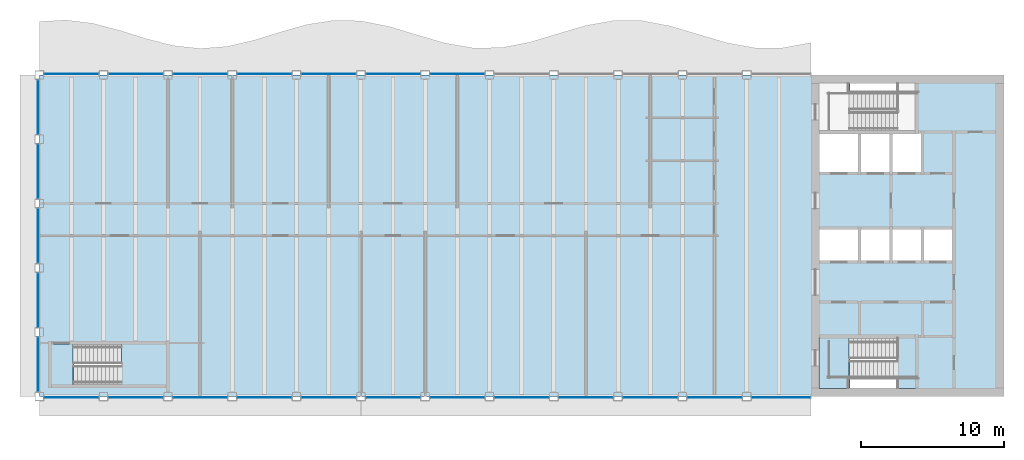
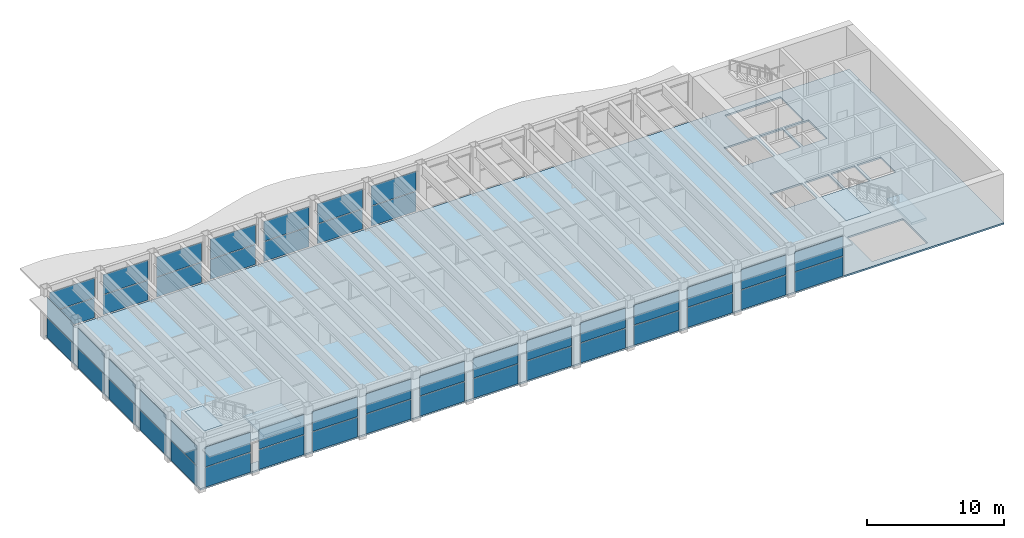
# One storey, part 7 of 15: 48 plates, 5 slabs, 26 elements without a shape of their own.
"""IFC4 building model written with IfcOpenShell, lengths in metres."""

from ifc_helpers import new_model, si_unit, direction, frame, origin, origin_2d, place, context, subcontext, project, spatial, polyline, rectangle, outline, extrude, material, layer, layer_set, type_object, element, aggregate, save


model = new_model("IFC4")

# Units and contexts
model_context = context("Model", 3, precision=1e-05, world=origin(), true_north=direction((0.0, 1.0)))
body_context = subcontext(model_context, "Body", "Model", "MODEL_VIEW")
ifc_project = project(units=[si_unit("LENGTHUNIT", "METRE"), si_unit("AREAUNIT", "SQUARE_METRE"), si_unit("VOLUMEUNIT", "CUBIC_METRE"), si_unit("PLANEANGLEUNIT", "RADIAN"), si_unit("MASSUNIT", "GRAM", prefix="KILO")], contexts=[model_context])

# Site, building, storey
site_placement = place(None, origin())
site = spatial("IfcSite", under=ifc_project, at=site_placement, CompositionType="ELEMENT")
building_placement = place(site_placement, origin())
building = spatial("IfcBuilding", under=site, at=building_placement, Name="Sennacour Bend Tower", CompositionType="ELEMENT")
storey_placement = place(building_placement, frame((0.0, 0.0, 318.5)))
storey = spatial("IfcBuildingStorey", under=building, at=storey_placement, Name="L73", CompositionType="ELEMENT", Elevation=318.5)

# Slab
ifc_material_1 = material(Name="Concrete C30/37", Category="concrete")
ifc_layer_1 = layer(ifc_material_1, 0.14990234375, Name="Concrete C30/37", Category="concrete")
ifc_layer_set_1 = layer_set([ifc_layer_1], Name="Concrete C30/37")
slab_type_1 = type_object("IfcSlabType", Name="Floor slab 150", PredefinedType="FLOOR", material=ifc_layer_set_1)
slab_1_placement = place(storey_placement, frame((0.0, 0.0, -0.14990234375)))
element("IfcSlab", 1, at=slab_1_placement, inside=storey, type_object=slab_type_1, Name="Floor slab L73-01", PredefinedType="FLOOR", context=body_context, shape_type="SweptSolid", body=[
    extrude(outline(polyline([(0.0, 22.5), (22.5, 22.5), (54.0, 22.5), (67.5, 22.5), (67.5, 0.0), (54.0, 0.0), (22.5, 0.0), (0.0, 0.0), (0.0, 22.5)]), holes=[polyline([(8.800048828125, 3.5), (2.429931640625, 3.5), (2.429931640625, 0.949951171875), (8.800048828125, 0.949951171875), (8.800048828125, 3.5)]), polyline([(61.39990234375, 4.125), (56.72998046875, 4.125), (56.72998046875, 0.550048828125), (61.39990234375, 0.550048828125), (61.39990234375, 4.125)]), polyline([(57.300048828125, 11.699951171875), (54.60009765625, 11.699951171875), (54.60009765625, 9.5), (57.300048828125, 9.5), (57.300048828125, 11.699951171875)]), polyline([(59.5, 9.5), (59.5, 11.699951171875), (57.5, 11.699951171875), (57.5, 9.5), (59.5, 9.5)]), polyline([(61.699951171875, 9.5), (61.699951171875, 11.699951171875), (59.699951171875, 11.699951171875), (59.699951171875, 9.5), (61.699951171875, 9.5)]), polyline([(63.89990234375, 11.699951171875), (61.89990234375, 11.699951171875), (61.89990234375, 9.5), (63.89990234375, 9.5), (63.89990234375, 11.699951171875)]), polyline([(57.300048828125, 18.39990234375), (54.60009765625, 18.39990234375), (54.60009765625, 15.699951171875), (57.300048828125, 15.699951171875), (57.300048828125, 18.39990234375)]), polyline([(59.5, 18.39990234375), (57.5, 18.39990234375), (57.5, 15.699951171875), (59.5, 15.699951171875), (59.5, 18.39990234375)]), polyline([(61.699951171875, 15.699951171875), (61.699951171875, 18.39990234375), (59.699951171875, 18.39990234375), (59.699951171875, 15.699951171875), (61.699951171875, 15.699951171875)]), polyline([(61.39990234375, 18.574951171875), (61.39990234375, 21.949951171875), (56.72998046875, 21.949951171875), (56.72998046875, 18.574951171875), (61.39990234375, 18.574951171875)])]), origin(), (0.0, 0.0, 1.0), 0.14990234375),
])

# Curtain wall, plates
ifc_material_2 = material(Name="Bronze anodised aluminium curtain wall with clear glass", Category="aluminium")
curtain_wall_type = type_object("IfcCurtainWallType", Name="CURTAIN WALL EXEC", PredefinedType="NOTDEFINED", material=ifc_material_2)
curtain_wall_1_placement = place(storey_placement, origin())
curtain_wall_1 = element("IfcCurtainWall", 2, at=curtain_wall_1_placement, inside=storey, type_object=curtain_wall_type, Name="Executive floor glass wall L73", PredefinedType="NOTDEFINED")
ifc_material_3 = material(Name="Clear low-emissivity glass", Category="glass")
ifc_layer_2 = layer(ifc_material_3, 0.031982421875, Name="Clear low-emissivity glass", Category="glass")
ifc_layer_set_2 = layer_set([ifc_layer_2], Name="Clear low-emissivity glass")
plate_type = type_object("IfcPlateType", Name="PNL-GLASS-IGU32", PredefinedType="CURTAIN_PANEL", material=ifc_layer_set_2)
plate_1_placement = place(storey_placement, frame((2.25, -0.074951171875, 0.06005859375), z_axis=(0.0, 0.0, 1.0), x_axis=(1.0, 0.0, 0.0)))
plate_1 = element("IfcPlate", 3, at=plate_1_placement, type_object=plate_type, Name="GW3 curtain wall panel 1.1", PredefinedType="CURTAIN_PANEL", context=body_context, shape_type="SweptSolid", body=[
    extrude(rectangle(XDim=3.780029296875, YDim=0.031982421875, at=origin_2d()), origin(), (0.0, 0.0, 1.0), 1.74609375),
])
plate_2_placement = place(storey_placement, frame((2.25, -0.074951171875, 1.865966796875), z_axis=(0.0, 0.0, 1.0), x_axis=(1.0, 0.0, 0.0)))
plate_2 = element("IfcPlate", 4, at=plate_2_placement, type_object=plate_type, Name="GW3 curtain wall panel 1.2", PredefinedType="CURTAIN_PANEL", context=body_context, shape_type="SweptSolid", body=[
    extrude(rectangle(XDim=3.780029296875, YDim=0.031982421875, at=origin_2d()), origin(), (0.0, 0.0, 1.0), 1.74609375),
])
aggregate(curtain_wall_1, [plate_1, plate_2])

curtain_wall_2_placement = place(storey_placement, origin())
curtain_wall_2 = element("IfcCurtainWall", 5, at=curtain_wall_2_placement, inside=storey, type_object=curtain_wall_type, Name="Executive floor glass wall L73", PredefinedType="NOTDEFINED")
plate_3_placement = place(storey_placement, frame((6.75, -0.074951171875, 0.06005859375), z_axis=(0.0, 0.0, 1.0), x_axis=(1.0, 0.0, 0.0)))
plate_3 = element("IfcPlate", 6, at=plate_3_placement, type_object=plate_type, Name="GW3 curtain wall panel 1.1", PredefinedType="CURTAIN_PANEL", context=body_context, shape_type="SweptSolid", body=[
    extrude(rectangle(XDim=3.780029296875, YDim=0.031982421875, at=origin_2d()), origin(), (0.0, 0.0, 1.0), 1.74609375),
])
plate_4_placement = place(storey_placement, frame((6.75, -0.074951171875, 1.865966796875), z_axis=(0.0, 0.0, 1.0), x_axis=(1.0, 0.0, 0.0)))
plate_4 = element("IfcPlate", 7, at=plate_4_placement, type_object=plate_type, Name="GW3 curtain wall panel 1.2", PredefinedType="CURTAIN_PANEL", context=body_context, shape_type="SweptSolid", body=[
    extrude(rectangle(XDim=3.780029296875, YDim=0.031982421875, at=origin_2d()), origin(), (0.0, 0.0, 1.0), 1.74609375),
])
aggregate(curtain_wall_2, [plate_3, plate_4])

curtain_wall_3_placement = place(storey_placement, origin())
curtain_wall_3 = element("IfcCurtainWall", 8, at=curtain_wall_3_placement, inside=storey, type_object=curtain_wall_type, Name="Executive floor glass wall L73", PredefinedType="NOTDEFINED")
plate_5_placement = place(storey_placement, frame((11.25, -0.074951171875, 0.06005859375), z_axis=(0.0, 0.0, 1.0), x_axis=(1.0, 0.0, 0.0)))
plate_5 = element("IfcPlate", 9, at=plate_5_placement, type_object=plate_type, Name="GW3 curtain wall panel 1.1", PredefinedType="CURTAIN_PANEL", context=body_context, shape_type="SweptSolid", body=[
    extrude(rectangle(XDim=3.780029296875, YDim=0.031982421875, at=origin_2d()), origin(), (0.0, 0.0, 1.0), 1.74609375),
])
plate_6_placement = place(storey_placement, frame((11.25, -0.074951171875, 1.865966796875), z_axis=(0.0, 0.0, 1.0), x_axis=(1.0, 0.0, 0.0)))
plate_6 = element("IfcPlate", 10, at=plate_6_placement, type_object=plate_type, Name="GW3 curtain wall panel 1.2", PredefinedType="CURTAIN_PANEL", context=body_context, shape_type="SweptSolid", body=[
    extrude(rectangle(XDim=3.780029296875, YDim=0.031982421875, at=origin_2d()), origin(), (0.0, 0.0, 1.0), 1.74609375),
])
aggregate(curtain_wall_3, [plate_5, plate_6])

curtain_wall_4_placement = place(storey_placement, origin())
curtain_wall_4 = element("IfcCurtainWall", 11, at=curtain_wall_4_placement, inside=storey, type_object=curtain_wall_type, Name="Executive floor glass wall L73", PredefinedType="NOTDEFINED")
plate_7_placement = place(storey_placement, frame((15.75, -0.074951171875, 0.06005859375), z_axis=(0.0, 0.0, 1.0), x_axis=(1.0, 0.0, 0.0)))
plate_7 = element("IfcPlate", 12, at=plate_7_placement, type_object=plate_type, Name="GW3 curtain wall panel 1.1", PredefinedType="CURTAIN_PANEL", context=body_context, shape_type="SweptSolid", body=[
    extrude(rectangle(XDim=3.780029296875, YDim=0.031982421875, at=origin_2d()), origin(), (0.0, 0.0, 1.0), 1.74609375),
])
plate_8_placement = place(storey_placement, frame((15.75, -0.074951171875, 1.865966796875), z_axis=(0.0, 0.0, 1.0), x_axis=(1.0, 0.0, 0.0)))
plate_8 = element("IfcPlate", 13, at=plate_8_placement, type_object=plate_type, Name="GW3 curtain wall panel 1.2", PredefinedType="CURTAIN_PANEL", context=body_context, shape_type="SweptSolid", body=[
    extrude(rectangle(XDim=3.780029296875, YDim=0.031982421875, at=origin_2d()), origin(), (0.0, 0.0, 1.0), 1.74609375),
])
aggregate(curtain_wall_4, [plate_7, plate_8])

curtain_wall_5_placement = place(storey_placement, origin())
curtain_wall_5 = element("IfcCurtainWall", 14, at=curtain_wall_5_placement, inside=storey, type_object=curtain_wall_type, Name="Executive floor glass wall L73", PredefinedType="NOTDEFINED")
plate_9_placement = place(storey_placement, frame((20.25, -0.074951171875, 0.06005859375), z_axis=(0.0, 0.0, 1.0), x_axis=(1.0, 0.0, 0.0)))
plate_9 = element("IfcPlate", 15, at=plate_9_placement, type_object=plate_type, Name="GW3 curtain wall panel 1.1", PredefinedType="CURTAIN_PANEL", context=body_context, shape_type="SweptSolid", body=[
    extrude(rectangle(XDim=3.780029296875, YDim=0.031982421875, at=origin_2d()), origin(), (0.0, 0.0, 1.0), 1.74609375),
])
plate_10_placement = place(storey_placement, frame((20.25, -0.074951171875, 1.865966796875), z_axis=(0.0, 0.0, 1.0), x_axis=(1.0, 0.0, 0.0)))
plate_10 = element("IfcPlate", 16, at=plate_10_placement, type_object=plate_type, Name="GW3 curtain wall panel 1.2", PredefinedType="CURTAIN_PANEL", context=body_context, shape_type="SweptSolid", body=[
    extrude(rectangle(XDim=3.780029296875, YDim=0.031982421875, at=origin_2d()), origin(), (0.0, 0.0, 1.0), 1.74609375),
])
aggregate(curtain_wall_5, [plate_9, plate_10])

curtain_wall_6_placement = place(storey_placement, origin())
curtain_wall_6 = element("IfcCurtainWall", 17, at=curtain_wall_6_placement, inside=storey, type_object=curtain_wall_type, Name="Executive floor glass wall L73", PredefinedType="NOTDEFINED")
plate_11_placement = place(storey_placement, frame((24.75, -0.074951171875, 0.06005859375), z_axis=(0.0, 0.0, 1.0), x_axis=(1.0, 0.0, 0.0)))
plate_11 = element("IfcPlate", 18, at=plate_11_placement, type_object=plate_type, Name="GW3 curtain wall panel 1.1", PredefinedType="CURTAIN_PANEL", context=body_context, shape_type="SweptSolid", body=[
    extrude(rectangle(XDim=3.780029296875, YDim=0.031982421875, at=origin_2d()), origin(), (0.0, 0.0, 1.0), 1.74609375),
])
plate_12_placement = place(storey_placement, frame((24.75, -0.074951171875, 1.865966796875), z_axis=(0.0, 0.0, 1.0), x_axis=(1.0, 0.0, 0.0)))
plate_12 = element("IfcPlate", 19, at=plate_12_placement, type_object=plate_type, Name="GW3 curtain wall panel 1.2", PredefinedType="CURTAIN_PANEL", context=body_context, shape_type="SweptSolid", body=[
    extrude(rectangle(XDim=3.780029296875, YDim=0.031982421875, at=origin_2d()), origin(), (0.0, 0.0, 1.0), 1.74609375),
])
aggregate(curtain_wall_6, [plate_11, plate_12])

curtain_wall_7_placement = place(storey_placement, origin())
curtain_wall_7 = element("IfcCurtainWall", 20, at=curtain_wall_7_placement, inside=storey, type_object=curtain_wall_type, Name="Executive floor glass wall L73", PredefinedType="NOTDEFINED")
plate_13_placement = place(storey_placement, frame((29.25, -0.074951171875, 0.06005859375), z_axis=(0.0, 0.0, 1.0), x_axis=(1.0, 0.0, 0.0)))
plate_13 = element("IfcPlate", 21, at=plate_13_placement, type_object=plate_type, Name="GW3 curtain wall panel 1.1", PredefinedType="CURTAIN_PANEL", context=body_context, shape_type="SweptSolid", body=[
    extrude(rectangle(XDim=3.780029296875, YDim=0.031982421875, at=origin_2d()), origin(), (0.0, 0.0, 1.0), 1.74609375),
])
plate_14_placement = place(storey_placement, frame((29.25, -0.074951171875, 1.865966796875), z_axis=(0.0, 0.0, 1.0), x_axis=(1.0, 0.0, 0.0)))
plate_14 = element("IfcPlate", 22, at=plate_14_placement, type_object=plate_type, Name="GW3 curtain wall panel 1.2", PredefinedType="CURTAIN_PANEL", context=body_context, shape_type="SweptSolid", body=[
    extrude(rectangle(XDim=3.780029296875, YDim=0.031982421875, at=origin_2d()), origin(), (0.0, 0.0, 1.0), 1.74609375),
])
aggregate(curtain_wall_7, [plate_13, plate_14])

curtain_wall_8_placement = place(storey_placement, origin())
curtain_wall_8 = element("IfcCurtainWall", 23, at=curtain_wall_8_placement, inside=storey, type_object=curtain_wall_type, Name="Executive floor glass wall L73", PredefinedType="NOTDEFINED")
plate_15_placement = place(storey_placement, frame((33.75, -0.074951171875, 0.06005859375), z_axis=(0.0, 0.0, 1.0), x_axis=(1.0, 0.0, 0.0)))
plate_15 = element("IfcPlate", 24, at=plate_15_placement, type_object=plate_type, Name="GW3 curtain wall panel 1.1", PredefinedType="CURTAIN_PANEL", context=body_context, shape_type="SweptSolid", body=[
    extrude(rectangle(XDim=3.780029296875, YDim=0.031982421875, at=origin_2d()), origin(), (0.0, 0.0, 1.0), 1.74609375),
])
plate_16_placement = place(storey_placement, frame((33.75, -0.074951171875, 1.865966796875), z_axis=(0.0, 0.0, 1.0), x_axis=(1.0, 0.0, 0.0)))
plate_16 = element("IfcPlate", 25, at=plate_16_placement, type_object=plate_type, Name="GW3 curtain wall panel 1.2", PredefinedType="CURTAIN_PANEL", context=body_context, shape_type="SweptSolid", body=[
    extrude(rectangle(XDim=3.780029296875, YDim=0.031982421875, at=origin_2d()), origin(), (0.0, 0.0, 1.0), 1.74609375),
])
aggregate(curtain_wall_8, [plate_15, plate_16])

curtain_wall_9_placement = place(storey_placement, origin())
curtain_wall_9 = element("IfcCurtainWall", 26, at=curtain_wall_9_placement, inside=storey, type_object=curtain_wall_type, Name="Executive floor glass wall L73", PredefinedType="NOTDEFINED")
plate_17_placement = place(storey_placement, frame((38.25, -0.074951171875, 0.06005859375), z_axis=(0.0, 0.0, 1.0), x_axis=(1.0, 0.0, 0.0)))
plate_17 = element("IfcPlate", 27, at=plate_17_placement, type_object=plate_type, Name="GW3 curtain wall panel 1.1", PredefinedType="CURTAIN_PANEL", context=body_context, shape_type="SweptSolid", body=[
    extrude(rectangle(XDim=3.780029296875, YDim=0.031982421875, at=origin_2d()), origin(), (0.0, 0.0, 1.0), 1.74609375),
])
plate_18_placement = place(storey_placement, frame((38.25, -0.074951171875, 1.865966796875), z_axis=(0.0, 0.0, 1.0), x_axis=(1.0, 0.0, 0.0)))
plate_18 = element("IfcPlate", 28, at=plate_18_placement, type_object=plate_type, Name="GW3 curtain wall panel 1.2", PredefinedType="CURTAIN_PANEL", context=body_context, shape_type="SweptSolid", body=[
    extrude(rectangle(XDim=3.780029296875, YDim=0.031982421875, at=origin_2d()), origin(), (0.0, 0.0, 1.0), 1.74609375),
])
aggregate(curtain_wall_9, [plate_17, plate_18])

curtain_wall_10_placement = place(storey_placement, origin())
curtain_wall_10 = element("IfcCurtainWall", 29, at=curtain_wall_10_placement, inside=storey, type_object=curtain_wall_type, Name="Executive floor glass wall L73", PredefinedType="NOTDEFINED")
plate_19_placement = place(storey_placement, frame((42.75, -0.074951171875, 0.06005859375), z_axis=(0.0, 0.0, 1.0), x_axis=(1.0, 0.0, 0.0)))
plate_19 = element("IfcPlate", 30, at=plate_19_placement, type_object=plate_type, Name="GW3 curtain wall panel 1.1", PredefinedType="CURTAIN_PANEL", context=body_context, shape_type="SweptSolid", body=[
    extrude(rectangle(XDim=3.780029296875, YDim=0.031982421875, at=origin_2d()), origin(), (0.0, 0.0, 1.0), 1.74609375),
])
plate_20_placement = place(storey_placement, frame((42.75, -0.074951171875, 1.865966796875), z_axis=(0.0, 0.0, 1.0), x_axis=(1.0, 0.0, 0.0)))
plate_20 = element("IfcPlate", 31, at=plate_20_placement, type_object=plate_type, Name="GW3 curtain wall panel 1.2", PredefinedType="CURTAIN_PANEL", context=body_context, shape_type="SweptSolid", body=[
    extrude(rectangle(XDim=3.780029296875, YDim=0.031982421875, at=origin_2d()), origin(), (0.0, 0.0, 1.0), 1.74609375),
])
aggregate(curtain_wall_10, [plate_19, plate_20])

curtain_wall_11_placement = place(storey_placement, origin())
curtain_wall_11 = element("IfcCurtainWall", 32, at=curtain_wall_11_placement, inside=storey, type_object=curtain_wall_type, Name="Executive floor glass wall L73", PredefinedType="NOTDEFINED")
plate_21_placement = place(storey_placement, frame((47.25, -0.074951171875, 0.06005859375), z_axis=(0.0, 0.0, 1.0), x_axis=(1.0, 0.0, 0.0)))
plate_21 = element("IfcPlate", 33, at=plate_21_placement, type_object=plate_type, Name="GW3 curtain wall panel 1.1", PredefinedType="CURTAIN_PANEL", context=body_context, shape_type="SweptSolid", body=[
    extrude(rectangle(XDim=3.780029296875, YDim=0.031982421875, at=origin_2d()), origin(), (0.0, 0.0, 1.0), 1.74609375),
])
plate_22_placement = place(storey_placement, frame((47.25, -0.074951171875, 1.865966796875), z_axis=(0.0, 0.0, 1.0), x_axis=(1.0, 0.0, 0.0)))
plate_22 = element("IfcPlate", 34, at=plate_22_placement, type_object=plate_type, Name="GW3 curtain wall panel 1.2", PredefinedType="CURTAIN_PANEL", context=body_context, shape_type="SweptSolid", body=[
    extrude(rectangle(XDim=3.780029296875, YDim=0.031982421875, at=origin_2d()), origin(), (0.0, 0.0, 1.0), 1.74609375),
])
aggregate(curtain_wall_11, [plate_21, plate_22])

curtain_wall_12_placement = place(storey_placement, origin())
curtain_wall_12 = element("IfcCurtainWall", 35, at=curtain_wall_12_placement, inside=storey, type_object=curtain_wall_type, Name="Executive floor glass wall L73", PredefinedType="NOTDEFINED")
plate_23_placement = place(storey_placement, frame((51.89990234375, -0.074951171875, 0.06005859375), z_axis=(0.0, 0.0, 1.0), x_axis=(1.0, 0.0, 0.0)))
plate_23 = element("IfcPlate", 36, at=plate_23_placement, type_object=plate_type, Name="GW3 curtain wall panel 1.1", PredefinedType="CURTAIN_PANEL", context=body_context, shape_type="SweptSolid", body=[
    extrude(rectangle(XDim=4.080078125, YDim=0.031982421875, at=origin_2d()), origin(), (0.0, 0.0, 1.0), 1.74609375),
])
plate_24_placement = place(storey_placement, frame((51.89990234375, -0.074951171875, 1.865966796875), z_axis=(0.0, 0.0, 1.0), x_axis=(1.0, 0.0, 0.0)))
plate_24 = element("IfcPlate", 37, at=plate_24_placement, type_object=plate_type, Name="GW3 curtain wall panel 1.2", PredefinedType="CURTAIN_PANEL", context=body_context, shape_type="SweptSolid", body=[
    extrude(rectangle(XDim=4.080078125, YDim=0.031982421875, at=origin_2d()), origin(), (0.0, 0.0, 1.0), 1.74609375),
])
aggregate(curtain_wall_12, [plate_23, plate_24])

curtain_wall_13_placement = place(storey_placement, origin())
curtain_wall_13 = element("IfcCurtainWall", 38, at=curtain_wall_13_placement, inside=storey, type_object=curtain_wall_type, Name="Executive floor glass wall L73", PredefinedType="NOTDEFINED")
plate_25_placement = place(storey_placement, frame((29.25, 22.574951171875, 0.06005859375), z_axis=(0.0, 0.0, 1.0), x_axis=(-1.0, 0.0, 0.0)))
plate_25 = element("IfcPlate", 39, at=plate_25_placement, type_object=plate_type, Name="GW3 curtain wall panel 1.1", PredefinedType="CURTAIN_PANEL", context=body_context, shape_type="SweptSolid", body=[
    extrude(rectangle(XDim=3.780029296875, YDim=0.031982421875, at=origin_2d()), origin(), (0.0, 0.0, 1.0), 1.74609375),
])
plate_26_placement = place(storey_placement, frame((29.25, 22.574951171875, 1.865966796875), z_axis=(0.0, 0.0, 1.0), x_axis=(-1.0, 0.0, 0.0)))
plate_26 = element("IfcPlate", 40, at=plate_26_placement, type_object=plate_type, Name="GW3 curtain wall panel 1.2", PredefinedType="CURTAIN_PANEL", context=body_context, shape_type="SweptSolid", body=[
    extrude(rectangle(XDim=3.780029296875, YDim=0.031982421875, at=origin_2d()), origin(), (0.0, 0.0, 1.0), 1.74609375),
])
aggregate(curtain_wall_13, [plate_25, plate_26])

curtain_wall_14_placement = place(storey_placement, origin())
curtain_wall_14 = element("IfcCurtainWall", 41, at=curtain_wall_14_placement, inside=storey, type_object=curtain_wall_type, Name="Executive floor glass wall L73", PredefinedType="NOTDEFINED")
plate_27_placement = place(storey_placement, frame((24.75, 22.574951171875, 0.06005859375), z_axis=(0.0, 0.0, 1.0), x_axis=(-1.0, 0.0, 0.0)))
plate_27 = element("IfcPlate", 42, at=plate_27_placement, type_object=plate_type, Name="GW3 curtain wall panel 1.1", PredefinedType="CURTAIN_PANEL", context=body_context, shape_type="SweptSolid", body=[
    extrude(rectangle(XDim=3.780029296875, YDim=0.031982421875, at=origin_2d()), origin(), (0.0, 0.0, 1.0), 1.74609375),
])
plate_28_placement = place(storey_placement, frame((24.75, 22.574951171875, 1.865966796875), z_axis=(0.0, 0.0, 1.0), x_axis=(-1.0, 0.0, 0.0)))
plate_28 = element("IfcPlate", 43, at=plate_28_placement, type_object=plate_type, Name="GW3 curtain wall panel 1.2", PredefinedType="CURTAIN_PANEL", context=body_context, shape_type="SweptSolid", body=[
    extrude(rectangle(XDim=3.780029296875, YDim=0.031982421875, at=origin_2d()), origin(), (0.0, 0.0, 1.0), 1.74609375),
])
aggregate(curtain_wall_14, [plate_27, plate_28])

curtain_wall_15_placement = place(storey_placement, origin())
curtain_wall_15 = element("IfcCurtainWall", 44, at=curtain_wall_15_placement, inside=storey, type_object=curtain_wall_type, Name="Executive floor glass wall L73", PredefinedType="NOTDEFINED")
plate_29_placement = place(storey_placement, frame((20.25, 22.574951171875, 0.06005859375), z_axis=(0.0, 0.0, 1.0), x_axis=(-1.0, 0.0, 0.0)))
plate_29 = element("IfcPlate", 45, at=plate_29_placement, type_object=plate_type, Name="GW3 curtain wall panel 1.1", PredefinedType="CURTAIN_PANEL", context=body_context, shape_type="SweptSolid", body=[
    extrude(rectangle(XDim=3.780029296875, YDim=0.031982421875, at=origin_2d()), origin(), (0.0, 0.0, 1.0), 1.74609375),
])
plate_30_placement = place(storey_placement, frame((20.25, 22.574951171875, 1.865966796875), z_axis=(0.0, 0.0, 1.0), x_axis=(-1.0, 0.0, 0.0)))
plate_30 = element("IfcPlate", 46, at=plate_30_placement, type_object=plate_type, Name="GW3 curtain wall panel 1.2", PredefinedType="CURTAIN_PANEL", context=body_context, shape_type="SweptSolid", body=[
    extrude(rectangle(XDim=3.780029296875, YDim=0.031982421875, at=origin_2d()), origin(), (0.0, 0.0, 1.0), 1.74609375),
])
aggregate(curtain_wall_15, [plate_29, plate_30])

curtain_wall_16_placement = place(storey_placement, origin())
curtain_wall_16 = element("IfcCurtainWall", 47, at=curtain_wall_16_placement, inside=storey, type_object=curtain_wall_type, Name="Executive floor glass wall L73", PredefinedType="NOTDEFINED")
plate_31_placement = place(storey_placement, frame((15.75, 22.574951171875, 0.06005859375), z_axis=(0.0, 0.0, 1.0), x_axis=(-1.0, 0.0, 0.0)))
plate_31 = element("IfcPlate", 48, at=plate_31_placement, type_object=plate_type, Name="GW3 curtain wall panel 1.1", PredefinedType="CURTAIN_PANEL", context=body_context, shape_type="SweptSolid", body=[
    extrude(rectangle(XDim=3.780029296875, YDim=0.031982421875, at=origin_2d()), origin(), (0.0, 0.0, 1.0), 1.74609375),
])
plate_32_placement = place(storey_placement, frame((15.75, 22.574951171875, 1.865966796875), z_axis=(0.0, 0.0, 1.0), x_axis=(-1.0, 0.0, 0.0)))
plate_32 = element("IfcPlate", 49, at=plate_32_placement, type_object=plate_type, Name="GW3 curtain wall panel 1.2", PredefinedType="CURTAIN_PANEL", context=body_context, shape_type="SweptSolid", body=[
    extrude(rectangle(XDim=3.780029296875, YDim=0.031982421875, at=origin_2d()), origin(), (0.0, 0.0, 1.0), 1.74609375),
])
aggregate(curtain_wall_16, [plate_31, plate_32])

curtain_wall_17_placement = place(storey_placement, origin())
curtain_wall_17 = element("IfcCurtainWall", 50, at=curtain_wall_17_placement, inside=storey, type_object=curtain_wall_type, Name="Executive floor glass wall L73", PredefinedType="NOTDEFINED")
plate_33_placement = place(storey_placement, frame((11.25, 22.574951171875, 0.06005859375), z_axis=(0.0, 0.0, 1.0), x_axis=(-1.0, 0.0, 0.0)))
plate_33 = element("IfcPlate", 51, at=plate_33_placement, type_object=plate_type, Name="GW3 curtain wall panel 1.1", PredefinedType="CURTAIN_PANEL", context=body_context, shape_type="SweptSolid", body=[
    extrude(rectangle(XDim=3.780029296875, YDim=0.031982421875, at=origin_2d()), origin(), (0.0, 0.0, 1.0), 1.74609375),
])
plate_34_placement = place(storey_placement, frame((11.25, 22.574951171875, 1.865966796875), z_axis=(0.0, 0.0, 1.0), x_axis=(-1.0, 0.0, 0.0)))
plate_34 = element("IfcPlate", 52, at=plate_34_placement, type_object=plate_type, Name="GW3 curtain wall panel 1.2", PredefinedType="CURTAIN_PANEL", context=body_context, shape_type="SweptSolid", body=[
    extrude(rectangle(XDim=3.780029296875, YDim=0.031982421875, at=origin_2d()), origin(), (0.0, 0.0, 1.0), 1.74609375),
])
aggregate(curtain_wall_17, [plate_33, plate_34])

curtain_wall_18_placement = place(storey_placement, origin())
curtain_wall_18 = element("IfcCurtainWall", 53, at=curtain_wall_18_placement, inside=storey, type_object=curtain_wall_type, Name="Executive floor glass wall L73", PredefinedType="NOTDEFINED")
plate_35_placement = place(storey_placement, frame((6.75, 22.574951171875, 0.06005859375), z_axis=(0.0, 0.0, 1.0), x_axis=(-1.0, 0.0, 0.0)))
plate_35 = element("IfcPlate", 54, at=plate_35_placement, type_object=plate_type, Name="GW3 curtain wall panel 1.1", PredefinedType="CURTAIN_PANEL", context=body_context, shape_type="SweptSolid", body=[
    extrude(rectangle(XDim=3.780029296875, YDim=0.031982421875, at=origin_2d()), origin(), (0.0, 0.0, 1.0), 1.74609375),
])
plate_36_placement = place(storey_placement, frame((6.75, 22.574951171875, 1.865966796875), z_axis=(0.0, 0.0, 1.0), x_axis=(-1.0, 0.0, 0.0)))
plate_36 = element("IfcPlate", 55, at=plate_36_placement, type_object=plate_type, Name="GW3 curtain wall panel 1.2", PredefinedType="CURTAIN_PANEL", context=body_context, shape_type="SweptSolid", body=[
    extrude(rectangle(XDim=3.780029296875, YDim=0.031982421875, at=origin_2d()), origin(), (0.0, 0.0, 1.0), 1.74609375),
])
aggregate(curtain_wall_18, [plate_35, plate_36])

curtain_wall_19_placement = place(storey_placement, origin())
curtain_wall_19 = element("IfcCurtainWall", 56, at=curtain_wall_19_placement, inside=storey, type_object=curtain_wall_type, Name="Executive floor glass wall L73", PredefinedType="NOTDEFINED")
plate_37_placement = place(storey_placement, frame((2.25, 22.574951171875, 0.06005859375), z_axis=(0.0, 0.0, 1.0), x_axis=(-1.0, 0.0, 0.0)))
plate_37 = element("IfcPlate", 57, at=plate_37_placement, type_object=plate_type, Name="GW3 curtain wall panel 1.1", PredefinedType="CURTAIN_PANEL", context=body_context, shape_type="SweptSolid", body=[
    extrude(rectangle(XDim=3.780029296875, YDim=0.031982421875, at=origin_2d()), origin(), (0.0, 0.0, 1.0), 1.74609375),
])
plate_38_placement = place(storey_placement, frame((2.25, 22.574951171875, 1.865966796875), z_axis=(0.0, 0.0, 1.0), x_axis=(-1.0, 0.0, 0.0)))
plate_38 = element("IfcPlate", 58, at=plate_38_placement, type_object=plate_type, Name="GW3 curtain wall panel 1.2", PredefinedType="CURTAIN_PANEL", context=body_context, shape_type="SweptSolid", body=[
    extrude(rectangle(XDim=3.780029296875, YDim=0.031982421875, at=origin_2d()), origin(), (0.0, 0.0, 1.0), 1.74609375),
])
aggregate(curtain_wall_19, [plate_37, plate_38])

curtain_wall_20_placement = place(storey_placement, origin())
curtain_wall_20 = element("IfcCurtainWall", 59, at=curtain_wall_20_placement, inside=storey, type_object=curtain_wall_type, Name="Executive floor glass wall L73", PredefinedType="NOTDEFINED")
plate_39_placement = place(storey_placement, frame((-0.074951171875, 20.25, 0.06005859375), z_axis=(0.0, 0.0, 1.0), x_axis=(0.0, -1.0, 0.0)))
plate_39 = element("IfcPlate", 60, at=plate_39_placement, type_object=plate_type, Name="GW3 curtain wall panel 1.1", PredefinedType="CURTAIN_PANEL", context=body_context, shape_type="SweptSolid", body=[
    extrude(rectangle(XDim=3.780029296875, YDim=0.031982421875, at=origin_2d()), origin(), (0.0, 0.0, 1.0), 1.74609375),
])
plate_40_placement = place(storey_placement, frame((-0.074951171875, 20.25, 1.865966796875), z_axis=(0.0, 0.0, 1.0), x_axis=(0.0, -1.0, 0.0)))
plate_40 = element("IfcPlate", 61, at=plate_40_placement, type_object=plate_type, Name="GW3 curtain wall panel 1.2", PredefinedType="CURTAIN_PANEL", context=body_context, shape_type="SweptSolid", body=[
    extrude(rectangle(XDim=3.780029296875, YDim=0.031982421875, at=origin_2d()), origin(), (0.0, 0.0, 1.0), 1.74609375),
])
aggregate(curtain_wall_20, [plate_39, plate_40])

curtain_wall_21_placement = place(storey_placement, origin())
curtain_wall_21 = element("IfcCurtainWall", 62, at=curtain_wall_21_placement, inside=storey, type_object=curtain_wall_type, Name="Executive floor glass wall L73", PredefinedType="NOTDEFINED")
plate_41_placement = place(storey_placement, frame((-0.074951171875, 15.75, 0.06005859375), z_axis=(0.0, 0.0, 1.0), x_axis=(0.0, -1.0, 0.0)))
plate_41 = element("IfcPlate", 63, at=plate_41_placement, type_object=plate_type, Name="GW3 curtain wall panel 1.1", PredefinedType="CURTAIN_PANEL", context=body_context, shape_type="SweptSolid", body=[
    extrude(rectangle(XDim=3.780029296875, YDim=0.031982421875, at=origin_2d()), origin(), (0.0, 0.0, 1.0), 1.74609375),
])
plate_42_placement = place(storey_placement, frame((-0.074951171875, 15.75, 1.865966796875), z_axis=(0.0, 0.0, 1.0), x_axis=(0.0, -1.0, 0.0)))
plate_42 = element("IfcPlate", 64, at=plate_42_placement, type_object=plate_type, Name="GW3 curtain wall panel 1.2", PredefinedType="CURTAIN_PANEL", context=body_context, shape_type="SweptSolid", body=[
    extrude(rectangle(XDim=3.780029296875, YDim=0.031982421875, at=origin_2d()), origin(), (0.0, 0.0, 1.0), 1.74609375),
])
aggregate(curtain_wall_21, [plate_41, plate_42])

curtain_wall_22_placement = place(storey_placement, origin())
curtain_wall_22 = element("IfcCurtainWall", 65, at=curtain_wall_22_placement, inside=storey, type_object=curtain_wall_type, Name="Executive floor glass wall L73", PredefinedType="NOTDEFINED")
plate_43_placement = place(storey_placement, frame((-0.074951171875, 11.25, 0.06005859375), z_axis=(0.0, 0.0, 1.0), x_axis=(0.0, -1.0, 0.0)))
plate_43 = element("IfcPlate", 66, at=plate_43_placement, type_object=plate_type, Name="GW3 curtain wall panel 1.1", PredefinedType="CURTAIN_PANEL", context=body_context, shape_type="SweptSolid", body=[
    extrude(rectangle(XDim=3.780029296875, YDim=0.031982421875, at=origin_2d()), origin(), (0.0, 0.0, 1.0), 1.74609375),
])
plate_44_placement = place(storey_placement, frame((-0.074951171875, 11.25, 1.865966796875), z_axis=(0.0, 0.0, 1.0), x_axis=(0.0, -1.0, 0.0)))
plate_44 = element("IfcPlate", 67, at=plate_44_placement, type_object=plate_type, Name="GW3 curtain wall panel 1.2", PredefinedType="CURTAIN_PANEL", context=body_context, shape_type="SweptSolid", body=[
    extrude(rectangle(XDim=3.780029296875, YDim=0.031982421875, at=origin_2d()), origin(), (0.0, 0.0, 1.0), 1.74609375),
])
aggregate(curtain_wall_22, [plate_43, plate_44])

curtain_wall_23_placement = place(storey_placement, origin())
curtain_wall_23 = element("IfcCurtainWall", 68, at=curtain_wall_23_placement, inside=storey, type_object=curtain_wall_type, Name="Executive floor glass wall L73", PredefinedType="NOTDEFINED")
plate_45_placement = place(storey_placement, frame((-0.074951171875, 6.75, 0.06005859375), z_axis=(0.0, 0.0, 1.0), x_axis=(0.0, -1.0, 0.0)))
plate_45 = element("IfcPlate", 69, at=plate_45_placement, type_object=plate_type, Name="GW3 curtain wall panel 1.1", PredefinedType="CURTAIN_PANEL", context=body_context, shape_type="SweptSolid", body=[
    extrude(rectangle(XDim=3.780029296875, YDim=0.031982421875, at=origin_2d()), origin(), (0.0, 0.0, 1.0), 1.74609375),
])
plate_46_placement = place(storey_placement, frame((-0.074951171875, 6.75, 1.865966796875), z_axis=(0.0, 0.0, 1.0), x_axis=(0.0, -1.0, 0.0)))
plate_46 = element("IfcPlate", 70, at=plate_46_placement, type_object=plate_type, Name="GW3 curtain wall panel 1.2", PredefinedType="CURTAIN_PANEL", context=body_context, shape_type="SweptSolid", body=[
    extrude(rectangle(XDim=3.780029296875, YDim=0.031982421875, at=origin_2d()), origin(), (0.0, 0.0, 1.0), 1.74609375),
])
aggregate(curtain_wall_23, [plate_45, plate_46])

curtain_wall_24_placement = place(storey_placement, origin())
curtain_wall_24 = element("IfcCurtainWall", 71, at=curtain_wall_24_placement, inside=storey, type_object=curtain_wall_type, Name="Executive floor glass wall L73", PredefinedType="NOTDEFINED")
plate_47_placement = place(storey_placement, frame((-0.074951171875, 2.25, 0.06005859375), z_axis=(0.0, 0.0, 1.0), x_axis=(0.0, -1.0, 0.0)))
plate_47 = element("IfcPlate", 72, at=plate_47_placement, type_object=plate_type, Name="GW3 curtain wall panel 1.1", PredefinedType="CURTAIN_PANEL", context=body_context, shape_type="SweptSolid", body=[
    extrude(rectangle(XDim=3.780029296875, YDim=0.031982421875, at=origin_2d()), origin(), (0.0, 0.0, 1.0), 1.74609375),
])
plate_48_placement = place(storey_placement, frame((-0.074951171875, 2.25, 1.865966796875), z_axis=(0.0, 0.0, 1.0), x_axis=(0.0, -1.0, 0.0)))
plate_48 = element("IfcPlate", 73, at=plate_48_placement, type_object=plate_type, Name="GW3 curtain wall panel 1.2", PredefinedType="CURTAIN_PANEL", context=body_context, shape_type="SweptSolid", body=[
    extrude(rectangle(XDim=3.780029296875, YDim=0.031982421875, at=origin_2d()), origin(), (0.0, 0.0, 1.0), 1.74609375),
])
aggregate(curtain_wall_24, [plate_47, plate_48])

# Slabs
ifc_material_4 = material(Name="Concrete C40/50", Category="concrete")
ifc_layer_3 = layer(ifc_material_4, 0.034912109375, Name="Concrete C40/50", Category="concrete")
ifc_layer_set_3 = layer_set([ifc_layer_3], Name="Concrete C40/50")
slab_type_2 = type_object("IfcSlabType", Name="Stair arrival nib 35", PredefinedType="FLOOR", material=ifc_layer_set_3)
slab_2_placement = place(storey_placement, frame((0.0, 0.0, 4.315185546875)))
element("IfcSlab", 74, at=slab_2_placement, inside=storey, type_object=slab_type_2, Name="L73 SA1 stair arrival nib", PredefinedType="FLOOR", context=body_context, shape_type="SweptSolid", body=[
    extrude(outline(polyline([(56.64208984375, 4.125), (54.550048828125, 4.125), (54.550048828125, 0.550048828125), (56.64208984375, 0.550048828125), (56.64208984375, 4.125)])), origin(), (0.0, 0.0, 1.0), 0.034912109375),
])
slab_3_placement = place(storey_placement, frame((0.0, 0.0, 4.315185546875)))
element("IfcSlab", 75, at=slab_3_placement, inside=storey, type_object=slab_type_2, Name="L73 SK1 stair arrival nib", PredefinedType="FLOOR", context=body_context, shape_type="SweptSolid", body=[
    extrude(outline(polyline([(2.342041015625, 3.675048828125), (0.800048828125, 3.675048828125), (0.800048828125, 0.800048828125), (2.342041015625, 0.800048828125), (2.342041015625, 3.675048828125)])), origin(), (0.0, 0.0, 1.0), 0.034912109375),
])

# Stair, slab
stair_type = type_object("IfcStairType", Name="ST-DOGLEG", PredefinedType="HALF_TURN_STAIR", material=ifc_material_4)
stair_1_placement = place(storey_placement, origin())
stair_1 = element("IfcStair", 76, at=stair_1_placement, inside=storey, type_object=stair_type, Name="L73 Exit stair A1", PredefinedType="HALF_TURN_STAIR")
ifc_layer_4 = layer(ifc_material_4, 0.199951171875, Name="Concrete C40/50", Category="concrete")
ifc_layer_set_4 = layer_set([ifc_layer_4], Name="Concrete C40/50")
slab_type_3 = type_object("IfcSlabType", Name="Stair landing 200", PredefinedType="LANDING", material=ifc_layer_set_4)
slab_4_placement = place(storey_placement, frame((0.0, 0.0, 2.050048828125)))
slab_4 = element("IfcSlab", 77, at=slab_4_placement, type_object=slab_type_3, Name="SA1 landing 1", PredefinedType="LANDING", context=body_context, shape_type="SweptSolid", body=[
    extrude(outline(polyline([(60.06005859375, 0.550048828125), (61.324951171875, 0.550048828125), (61.324951171875, 4.125), (60.06005859375, 4.125), (60.06005859375, 0.550048828125)])), origin(), (0.0, 0.0, 1.0), 0.199951171875),
])
aggregate(stair_1, [slab_4])

stair_2_placement = place(storey_placement, origin())
stair_2 = element("IfcStair", 78, at=stair_2_placement, inside=storey, type_object=stair_type, Name="L73 Exit stair K1", PredefinedType="HALF_TURN_STAIR")
slab_5_placement = place(storey_placement, frame((0.0, 0.0, 2.050048828125)))
slab_5 = element("IfcSlab", 79, at=slab_5_placement, type_object=slab_type_3, Name="SK1 landing 1", PredefinedType="LANDING", context=body_context, shape_type="SweptSolid", body=[
    extrude(outline(polyline([(5.760009765625, 0.800048828125), (8.925048828125, 0.800048828125), (8.925048828125, 3.675048828125), (5.760009765625, 3.675048828125), (5.760009765625, 0.800048828125)])), origin(), (0.0, 0.0, 1.0), 0.199951171875),
])
aggregate(stair_2, [slab_5])

save(model, "model.ifc")
